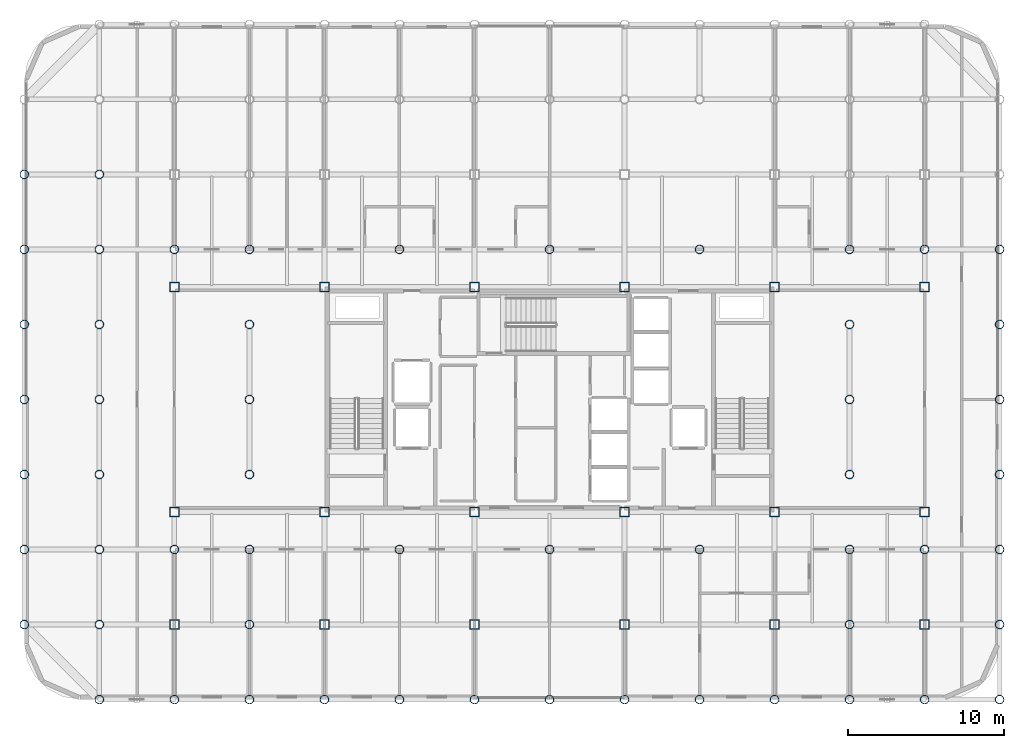
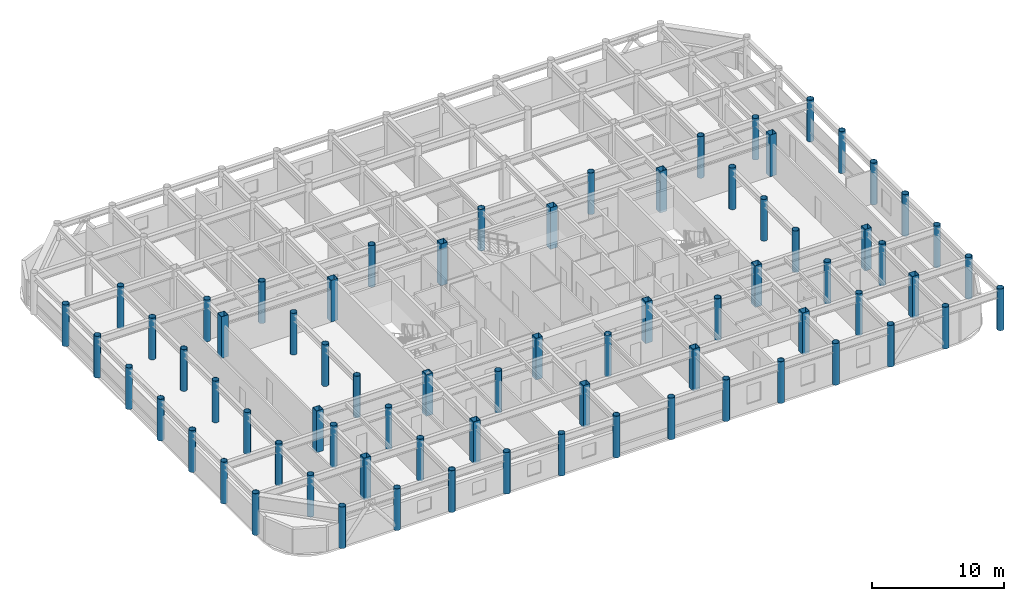
# One storey, part 1 of 22: 73 columns.
"""IFC4 building model written with IfcOpenShell, lengths in metres."""

from ifc_helpers import new_model, si_unit, direction, frame, origin, origin_2d, place, context, subcontext, project, spatial, hollow_rectangle, hollow_circle, extrude, material, material_profile, profile_set, type_object, element, save


model = new_model("IFC4")

# Units and contexts
model_context = context("Model", 3, precision=1e-05, world=origin(), true_north=direction((0.0, 1.0)))
body_context = subcontext(model_context, "Body", "Model", "MODEL_VIEW")
ifc_project = project(units=[si_unit("LENGTHUNIT", "METRE"), si_unit("AREAUNIT", "SQUARE_METRE"), si_unit("VOLUMEUNIT", "CUBIC_METRE"), si_unit("PLANEANGLEUNIT", "RADIAN"), si_unit("MASSUNIT", "GRAM", prefix="KILO")], contexts=[model_context])

# Site, building, storey
site_placement = place(None, origin())
site = spatial("IfcSite", under=ifc_project, at=site_placement, CompositionType="ELEMENT")
building_placement = place(site_placement, origin())
building = spatial("IfcBuilding", under=site, at=building_placement, Name="Kallvorn Hotel Tower", CompositionType="ELEMENT")
storey_placement = place(building_placement, frame((0.0, 0.0, 253.10009765625)))
storey = spatial("IfcBuildingStorey", under=building, at=storey_placement, Name="L63", CompositionType="ELEMENT", Elevation=253.10009765625)

# Columns
ifc_material_1 = material(Name="Structural steel S355J2H", Category="steel")
ifc_material_profile_1 = material_profile(ifc_material_1, hollow_circle(Radius=0.279541015625, WallThickness=0.02490234375, at=origin_2d()), Name="CHS 559x25")
ifc_profile_set_1 = profile_set([ifc_material_profile_1], Name="Structural steel S355J2H")
column_type_1 = type_object("IfcColumnType", Name="COL_CHS_559", PredefinedType="COLUMN", material=ifc_profile_set_1)
for number, where, z_axis, x_axis, name in (
    (1, (-33.60009765625, -14.39990234375, 0.0), (0.0, 0.0, 1.0), (1.0, 0.0, 0.0), "L63 Exoskeleton Column EC01"),
    (2, (-33.60009765625, -9.60009765625, 0.0), (0.0, 0.0, 1.0), (1.0, 0.0, 0.0), "L63 Exoskeleton Column EC02"),
    (3, (-33.60009765625, -4.800048828125, 0.0), (0.0, 0.0, 1.0), (1.0, 0.0, 0.0), "L63 Exoskeleton Column EC03"),
    (4, (-33.60009765625, 0.0, 0.0), (0.0, 0.0, 1.0), (1.0, 0.0, 0.0), "L63 Exoskeleton Column EC04"),
    (5, (-33.60009765625, 4.800048828125, 0.0), (0.0, 0.0, 1.0), (1.0, 0.0, 0.0), "L63 Exoskeleton Column EC05"),
    (6, (-33.60009765625, 9.60009765625, 0.0), (0.0, 0.0, 1.0), (1.0, 0.0, 0.0), "L63 Exoskeleton Column EC06"),
    (7, (-33.60009765625, 14.39990234375, 0.0), (0.0, 0.0, 1.0), (1.0, 0.0, 0.0), "L63 Exoskeleton Column EC07"),
    (8, (-28.800048828125, -19.199951171875, 0.0), (0.0, 0.0, 1.0), (1.0, 0.0, 0.0), "L63 Exoskeleton Column EC09"),
    (9, (-28.800048828125, -14.39990234375, 0.0), (0.0, 0.0, 1.0), (1.0, 0.0, 0.0), "L63 Exoskeleton Column EC10"),
    (10, (-28.800048828125, -9.60009765625, 0.0), (0.0, 0.0, 1.0), (1.0, 0.0, 0.0), "L63 Exoskeleton Column EC11"),
    (11, (-28.800048828125, -4.800048828125, 0.0), (0.0, 0.0, 1.0), (1.0, 0.0, 0.0), "L63 Exoskeleton Column EC12"),
    (12, (-28.800048828125, 0.0, 0.0), (0.0, 0.0, 1.0), (1.0, 0.0, 0.0), "L63 Exoskeleton Column EC13"),
    (13, (-28.800048828125, 4.800048828125, 0.0), (0.0, 0.0, 1.0), (1.0, 0.0, 0.0), "L63 Exoskeleton Column EC14"),
    (14, (-28.800048828125, 9.60009765625, 0.0), (0.0, 0.0, 1.0), (1.0, 0.0, 0.0), "L63 Exoskeleton Column EC15"),
    (15, (-28.800048828125, 14.39990234375, 0.0), (0.0, 0.0, 1.0), (1.0, 0.0, 0.0), "L63 Exoskeleton Column EC16"),
    (16, (-24.0, -19.199951171875, 0.0), (0.0, 0.0, 1.0), (1.0, 0.0, 0.0), "L63 Exoskeleton Column EC19"),
    (17, (-24.0, -9.60009765625, 0.0), (0.0, 0.0, 1.0), (1.0, 0.0, 0.0), "L63 Exoskeleton Column EC20"),
    (18, (-24.0, 9.60009765625, 0.0), (0.0, 0.0, 1.0), (1.0, 0.0, 0.0), "L63 Exoskeleton Column EC21"),
    (19, (-19.199951171875, -19.199951171875, 0.0), (0.0, 0.0, 1.0), (1.0, 0.0, 0.0), "L63 Exoskeleton Column EC24"),
    (20, (-19.199951171875, -14.39990234375, 0.0), (0.0, 0.0, 1.0), (1.0, 0.0, 0.0), "L63 Exoskeleton Column EC25"),
    (21, (-19.199951171875, -9.60009765625, 0.0), (0.0, 0.0, 1.0), (1.0, 0.0, 0.0), "L63 Exoskeleton Column EC26"),
    (22, (-19.199951171875, -4.800048828125, 0.0), (0.0, 0.0, 1.0), (1.0, 0.0, 0.0), "L63 Exoskeleton Column EC27"),
    (23, (-19.199951171875, 0.0, 0.0), (0.0, 0.0, 1.0), (1.0, 0.0, 0.0), "L63 Exoskeleton Column EC28"),
    (24, (-19.199951171875, 4.800048828125, 0.0), (0.0, 0.0, 1.0), (1.0, 0.0, 0.0), "L63 Exoskeleton Column EC29"),
    (25, (-19.199951171875, 9.60009765625, 0.0), (0.0, 0.0, 1.0), (1.0, 0.0, 0.0), "L63 Exoskeleton Column EC30"),
    (26, (-14.39990234375, -19.199951171875, 0.0), (0.0, 0.0, 1.0), (1.0, 0.0, 0.0), "L63 Exoskeleton Column EC34"),
    (27, (-9.60009765625, -19.199951171875, 0.0), (0.0, 0.0, 1.0), (1.0, 0.0, 0.0), "L63 Exoskeleton Column EC37"),
    (28, (-9.60009765625, -9.60009765625, 0.0), (0.0, 0.0, 1.0), (1.0, 0.0, 0.0), "L63 Exoskeleton Column EC38"),
    (29, (-9.60009765625, 9.60009765625, 0.0), (0.0, 0.0, 1.0), (1.0, 0.0, 0.0), "L63 Exoskeleton Column EC39"),
    (30, (-4.800048828125, -19.199951171875, 0.0), (0.0, 0.0, 1.0), (1.0, 0.0, 0.0), "L63 Exoskeleton Column EC42"),
    (31, (0.0, -19.199951171875, 0.0), (0.0, 0.0, 1.0), (1.0, 0.0, 0.0), "L63 Exoskeleton Column EC45"),
    (32, (0.0, -9.60009765625, 0.0), (0.0, 0.0, 1.0), (1.0, 0.0, 0.0), "L63 Exoskeleton Column EC46"),
    (33, (0.0, 9.60009765625, 0.0), (0.0, 0.0, 1.0), (1.0, 0.0, 0.0), "L63 Exoskeleton Column EC47"),
    (34, (4.800048828125, -19.199951171875, 0.0), (0.0, 0.0, 1.0), (1.0, 0.0, 0.0), "L63 Exoskeleton Column EC50"),
    (35, (9.60009765625, -19.199951171875, 0.0), (0.0, 0.0, 1.0), (1.0, 0.0, 0.0), "L63 Exoskeleton Column EC53"),
    (36, (9.60009765625, -9.60009765625, 0.0), (0.0, 0.0, 1.0), (1.0, 0.0, 0.0), "L63 Exoskeleton Column EC54"),
    (37, (9.60009765625, 9.60009765625, 0.0), (0.0, 0.0, 1.0), (1.0, 0.0, 0.0), "L63 Exoskeleton Column EC55"),
    (38, (14.39990234375, -19.199951171875, 0.0), (0.0, 0.0, 1.0), (1.0, 0.0, 0.0), "L63 Exoskeleton Column EC58"),
    (39, (19.199951171875, -19.199951171875, 0.0), (0.0, 0.0, 1.0), (1.0, 0.0, 0.0), "L63 Exoskeleton Column EC61"),
    (40, (19.199951171875, -14.39990234375, 0.0), (0.0, 0.0, 1.0), (1.0, 0.0, 0.0), "L63 Exoskeleton Column EC62"),
    (41, (19.199951171875, -9.60009765625, 0.0), (0.0, 0.0, 1.0), (1.0, 0.0, 0.0), "L63 Exoskeleton Column EC63"),
    (42, (19.199951171875, -4.800048828125, 0.0), (0.0, 0.0, 1.0), (1.0, 0.0, 0.0), "L63 Exoskeleton Column EC64"),
    (43, (19.199951171875, 0.0, 0.0), (0.0, 0.0, 1.0), (1.0, 0.0, 0.0), "L63 Exoskeleton Column EC65"),
    (44, (19.199951171875, 4.800048828125, 0.0), (0.0, 0.0, 1.0), (1.0, 0.0, 0.0), "L63 Exoskeleton Column EC66"),
    (45, (19.199951171875, 9.60009765625, 0.0), (0.0, 0.0, 1.0), (1.0, 0.0, 0.0), "L63 Exoskeleton Column EC67"),
    (46, (24.0, -19.199951171875, 0.0), (0.0, 0.0, 1.0), (1.0, 0.0, 0.0), "L63 Exoskeleton Column EC71"),
    (47, (24.0, -9.60009765625, 0.0), (0.0, 0.0, 1.0), (1.0, 0.0, 0.0), "L63 Exoskeleton Column EC72"),
    (48, (24.0, 9.60009765625, 0.0), (0.0, 0.0, 1.0), (1.0, 0.0, 0.0), "L63 Exoskeleton Column EC73"),
    (49, (28.800048828125, -19.199951171875, 0.0), (0.0, 0.0, 1.0), (1.0, 0.0, 0.0), "L63 Exoskeleton Column EC76"),
    (50, (28.800048828125, -14.39990234375, 0.0), (0.0, 0.0, 1.0), (1.0, 0.0, 0.0), "L63 Exoskeleton Column EC77"),
    (51, (28.800048828125, -9.60009765625, 0.0), (0.0, 0.0, 1.0), (1.0, 0.0, 0.0), "L63 Exoskeleton Column EC78"),
    (52, (28.800048828125, -4.800048828125, 0.0), (0.0, 0.0, 1.0), (1.0, 0.0, 0.0), "L63 Exoskeleton Column EC79"),
    (53, (28.800048828125, 0.0, 0.0), (0.0, 0.0, 1.0), (1.0, 0.0, 0.0), "L63 Exoskeleton Column EC80"),
    (54, (28.800048828125, 4.800048828125, 0.0), (0.0, 0.0, 1.0), (1.0, 0.0, 0.0), "L63 Exoskeleton Column EC81"),
    (55, (28.800048828125, 9.60009765625, 0.0), (0.0, 0.0, 1.0), (1.0, 0.0, 0.0), "L63 Exoskeleton Column EC82"),
):
    element("IfcColumn", number, at=place(storey_placement, frame(where, z_axis=z_axis, x_axis=x_axis)), inside=storey, type_object=column_type_1, Name=name, PredefinedType="COLUMN", context=body_context, shape_type="SweptSolid", body=[
        extrude(hollow_circle(Radius=0.279541015625, WallThickness=0.02490234375, at=origin_2d()), origin(), (0.0, 0.0, 1.0), 3.849853515625),
    ])
ifc_material_2 = material(Name="Structural steel S355J2H", Category="steel")
ifc_material_profile_2 = material_profile(ifc_material_2, hollow_rectangle(XDim=0.60009765625, YDim=0.60009765625, WallThickness=0.028076171875, at=origin_2d()), Name="RHS 600x600x28")
ifc_profile_set_2 = profile_set([ifc_material_profile_2], Name="Structural steel S355J2H")
column_type_2 = type_object("IfcColumnType", Name="COL_RHS_600", PredefinedType="COLUMN", material=ifc_profile_set_2)
for number, where, z_axis, x_axis, name in (
    (56, (-24.0, -14.39990234375, 0.0), (0.0, 0.0, 1.0), (1.0, 0.0, 0.0), "L63 Inner Column IC01"),
    (57, (-24.0, -7.199951171875, 0.0), (0.0, 0.0, 1.0), (1.0, 0.0, 0.0), "L63 Inner Column IC02"),
    (58, (-24.0, 7.199951171875, 0.0), (0.0, 0.0, 1.0), (1.0, 0.0, 0.0), "L63 Inner Column IC03"),
    (59, (-14.39990234375, -14.39990234375, 0.0), (0.0, 0.0, 1.0), (1.0, 0.0, 0.0), "L63 Inner Column IC05"),
    (60, (-14.39990234375, -7.199951171875, 0.0), (0.0, 0.0, 1.0), (1.0, 0.0, 0.0), "L63 Inner Column IC06"),
    (61, (-14.39990234375, 7.199951171875, 0.0), (0.0, 0.0, 1.0), (1.0, 0.0, 0.0), "L63 Inner Column IC07"),
    (62, (-4.800048828125, -14.39990234375, 0.0), (0.0, 0.0, 1.0), (1.0, 0.0, 0.0), "L63 Inner Column IC09"),
    (63, (-4.800048828125, -7.199951171875, 0.0), (0.0, 0.0, 1.0), (1.0, 0.0, 0.0), "L63 Inner Column IC10"),
    (64, (-4.800048828125, 7.199951171875, 0.0), (0.0, 0.0, 1.0), (1.0, 0.0, 0.0), "L63 Inner Column IC11"),
    (65, (4.800048828125, -14.39990234375, 0.0), (0.0, 0.0, 1.0), (1.0, 0.0, 0.0), "L63 Inner Column IC13"),
    (66, (4.800048828125, -7.199951171875, 0.0), (0.0, 0.0, 1.0), (1.0, 0.0, 0.0), "L63 Inner Column IC14"),
    (67, (4.800048828125, 7.199951171875, 0.0), (0.0, 0.0, 1.0), (1.0, 0.0, 0.0), "L63 Inner Column IC15"),
    (68, (14.39990234375, -14.39990234375, 0.0), (0.0, 0.0, 1.0), (1.0, 0.0, 0.0), "L63 Inner Column IC17"),
    (69, (14.39990234375, -7.199951171875, 0.0), (0.0, 0.0, 1.0), (1.0, 0.0, 0.0), "L63 Inner Column IC18"),
    (70, (14.39990234375, 7.199951171875, 0.0), (0.0, 0.0, 1.0), (1.0, 0.0, 0.0), "L63 Inner Column IC19"),
    (71, (24.0, -14.39990234375, 0.0), (0.0, 0.0, 1.0), (1.0, 0.0, 0.0), "L63 Inner Column IC21"),
    (72, (24.0, -7.199951171875, 0.0), (0.0, 0.0, 1.0), (1.0, 0.0, 0.0), "L63 Inner Column IC22"),
    (73, (24.0, 7.199951171875, 0.0), (0.0, 0.0, 1.0), (1.0, 0.0, 0.0), "L63 Inner Column IC23"),
):
    element("IfcColumn", number, at=place(storey_placement, frame(where, z_axis=z_axis, x_axis=x_axis)), inside=storey, type_object=column_type_2, Name=name, PredefinedType="COLUMN", context=body_context, shape_type="SweptSolid", body=[
        extrude(hollow_rectangle(XDim=0.60009765625, YDim=0.60009765625, WallThickness=0.028076171875, at=origin_2d()), origin(), (0.0, 0.0, 1.0), 3.849853515625),
    ])

save(model, "model.ifc")
